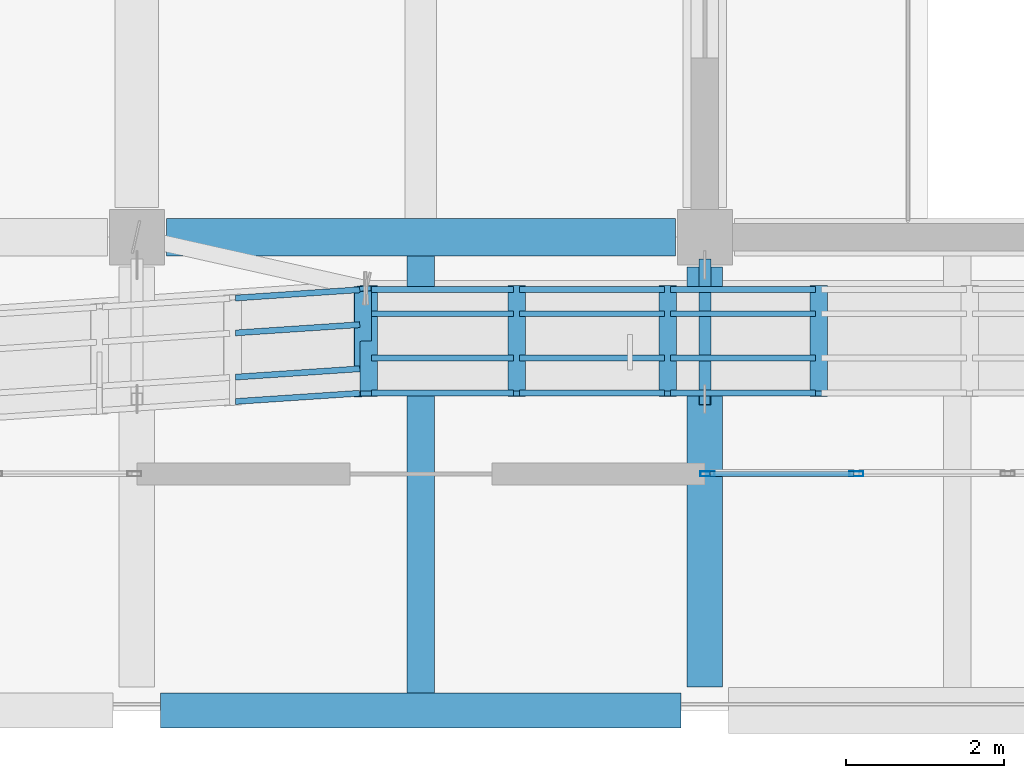
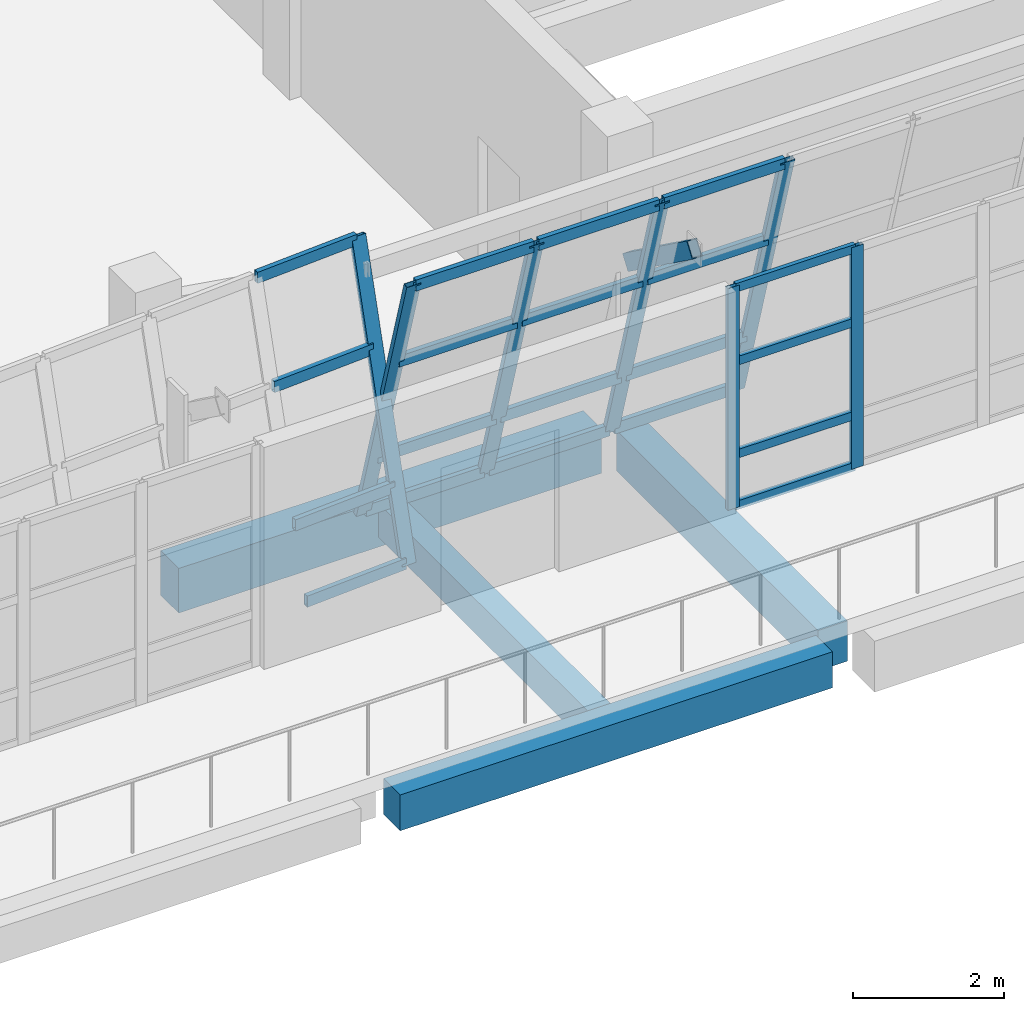
# One storey, part 13 of 67: 28 members, 4 beams, 3 elements without a shape of their own.
"""IFC4 building model written with IfcOpenShell, lengths in metres."""

from ifc_helpers import new_model, si_unit, direction, frame, origin, origin_2d, place, context, subcontext, project, spatial, rectangle, hollow_rectangle, extrude, material, material_profile, profile_set, type_object, element, aggregate, save


model = new_model("IFC4")

# Units and contexts
model_context = context("Model", 3, precision=1e-05, world=origin(), true_north=direction((0.0, 1.0)))
body_context = subcontext(model_context, "Body", "Model", "MODEL_VIEW")
ifc_project = project(units=[si_unit("LENGTHUNIT", "METRE"), si_unit("AREAUNIT", "SQUARE_METRE"), si_unit("VOLUMEUNIT", "CUBIC_METRE"), si_unit("PLANEANGLEUNIT", "RADIAN"), si_unit("MASSUNIT", "GRAM", prefix="KILO")], contexts=[model_context])

# Site, building, storey
site_placement = place(None, origin())
site = spatial("IfcSite", under=ifc_project, at=site_placement, CompositionType="ELEMENT")
building_placement = place(site_placement, origin())
building = spatial("IfcBuilding", under=site, at=building_placement, Name="Pellamere Symphony Hall", CompositionType="ELEMENT")
storey_placement = place(building_placement, frame((0.0, 0.0, 19.5)))
storey = spatial("IfcBuildingStorey", under=building, at=storey_placement, Name="L04", CompositionType="ELEMENT", Elevation=19.5)

# Curtain wall, member
ifc_material_1 = material(Name="Thermally Broken Anodised Aluminium 6063-T6 Curtain Wall", Category="aluminium")
curtain_wall_type_1 = type_object("IfcCurtainWallType", Name="Curtain Wall CW-01 (Tilted Faceted Crystal Low-Iron Curtain Wall)", PredefinedType="NOTDEFINED", material=ifc_material_1)
curtain_wall_1_placement = place(storey_placement, origin())
curtain_wall_1 = element("IfcCurtainWall", 1, at=curtain_wall_1_placement, inside=storey, type_object=curtain_wall_type_1, Name="Crystal Faceted Curtain Wall CW-CR04 (L04)", PredefinedType="NOTDEFINED")
ifc_material_2 = material(Name="Anodised Architectural Aluminium 6063-T6", Category="aluminium")
ifc_material_profile_1 = material_profile(ifc_material_2, hollow_rectangle(XDim=0.074951171875, YDim=0.219970703125, WallThickness=0.0048828125, at=origin_2d()), Name="ALU-M75X220X5")
ifc_profile_set_1 = profile_set([ifc_material_profile_1], Name="Anodised Architectural Aluminium 6063-T6")
member_type_1 = type_object("IfcMemberType", Name="Curtain Wall Mullion ML-01 ALU-M75X220X5", PredefinedType="MULLION", material=ifc_profile_set_1)
member_1_placement = place(storey_placement, frame((104.862548828125, 28.014404296875, 0.0), z_axis=(0.0, 0.284024567884, 0.95881700279), x_axis=(0.066519010519, -0.956693374484, 0.283395498301)))
member_1 = element("IfcMember", 2, at=member_1_placement, type_object=member_type_1, Name="CW1-004 crystal mullion 9", PredefinedType="MULLION", context=body_context, shape_type="SweptSolid", body=[
    extrude(hollow_rectangle(XDim=0.074951171875, YDim=0.219970703125, WallThickness=0.0048828125, at=origin_2d()), origin(), (0.0, 0.0, 1.0), 4.693359375),
])

# Curtain wall, members
curtain_wall_2_placement = place(storey_placement, origin())
curtain_wall_2 = element("IfcCurtainWall", 3, at=curtain_wall_2_placement, inside=storey, type_object=curtain_wall_type_1, Name="Crystal Faceted Curtain Wall CW-CR05 (L04)", PredefinedType="NOTDEFINED")
member_2_placement = place(storey_placement, frame((104.9375, 29.35009765625, 0.0), z_axis=(0.0, -0.284024567884, 0.95881700279), x_axis=(0.0, 0.95881700279, 0.284024567884)))
member_2 = element("IfcMember", 4, at=member_2_placement, type_object=member_type_1, Name="CW1-005 crystal mullion 1", PredefinedType="MULLION", context=body_context, shape_type="SweptSolid", body=[
    extrude(hollow_rectangle(XDim=0.074951171875, YDim=0.219970703125, WallThickness=0.0048828125, at=origin_2d()), origin(), (0.0, 0.0, 1.0), 4.693359375),
])
member_3_placement = place(storey_placement, frame((106.814208984375, 29.35009765625, 0.0), z_axis=(0.0, -0.284024567884, 0.95881700279), x_axis=(0.0, 0.95881700279, 0.284024567884)))
member_3 = element("IfcMember", 5, at=member_3_placement, type_object=member_type_1, Name="CW1-005 crystal mullion 2", PredefinedType="MULLION", context=body_context, shape_type="SweptSolid", body=[
    extrude(hollow_rectangle(XDim=0.074951171875, YDim=0.219970703125, WallThickness=0.0048828125, at=origin_2d()), origin(), (0.0, 0.0, 1.0), 4.693359375),
])
member_4_placement = place(storey_placement, frame((108.728515625, 29.35009765625, 0.0), z_axis=(0.0, -0.284024567884, 0.95881700279), x_axis=(0.0, 0.95881700279, 0.284024567884)))
member_4 = element("IfcMember", 6, at=member_4_placement, type_object=member_type_1, Name="CW1-005 crystal mullion 3", PredefinedType="MULLION", context=body_context, shape_type="SweptSolid", body=[
    extrude(hollow_rectangle(XDim=0.074951171875, YDim=0.219970703125, WallThickness=0.0048828125, at=origin_2d()), origin(), (0.0, 0.0, 1.0), 4.693359375),
])
member_5_placement = place(storey_placement, frame((110.642822265625, 29.35009765625, 0.0), z_axis=(0.0, -0.284024567884, 0.95881700279), x_axis=(0.0, 0.95881700279, 0.284024567884)))
member_5 = element("IfcMember", 7, at=member_5_placement, type_object=member_type_1, Name="CW1-005 crystal mullion 4", PredefinedType="MULLION", context=body_context, shape_type="SweptSolid", body=[
    extrude(hollow_rectangle(XDim=0.074951171875, YDim=0.219970703125, WallThickness=0.0048828125, at=origin_2d()), origin(), (0.0, 0.0, 1.0), 4.693359375),
])

curtain_wall_type_2 = type_object("IfcCurtainWallType", Name="Curtain Wall CW-06 (Belvedere Terrace Clerestory Curtain Wall)", PredefinedType="NOTDEFINED", material=ifc_material_1)
curtain_wall_3_placement = place(storey_placement, origin())
curtain_wall_3 = element("IfcCurtainWall", 8, at=curtain_wall_3_placement, inside=storey, type_object=curtain_wall_type_2, Name="Winter-Garden South Curtain Wall (L04 Bay 9)", PredefinedType="NOTDEFINED")
ifc_material_profile_2 = material_profile(ifc_material_2, hollow_rectangle(XDim=0.06494140625, YDim=0.179931640625, WallThickness=0.00390625, at=origin_2d()), Name="ALU-M65X180X4")
ifc_profile_set_2 = profile_set([ifc_material_profile_2], Name="Anodised Architectural Aluminium 6063-T6")
member_type_2 = type_object("IfcMemberType", Name="Curtain Wall Mullion ML-02 ALU-M65X180X4", PredefinedType="MULLION", material=ifc_profile_set_2)
member_6_placement = place(storey_placement, frame((109.232421875, 27.0, 0.0), z_axis=(0.0, 0.0, 1.0), x_axis=(0.0, 1.0, 0.0)))
member_6 = element("IfcMember", 9, at=member_6_placement, type_object=member_type_2, Name="CW2-101 crystal mullion 1", PredefinedType="MULLION", context=body_context, shape_type="SweptSolid", body=[
    extrude(hollow_rectangle(XDim=0.06494140625, YDim=0.179931640625, WallThickness=0.00390625, at=origin_2d()), origin(), (0.0, 0.0, 1.0), 3.577392578125),
])
member_7_placement = place(storey_placement, frame((111.1201171875, 27.0, 0.0), z_axis=(0.0, 0.0, 1.0), x_axis=(0.0, 1.0, 0.0)))
member_7 = element("IfcMember", 10, at=member_7_placement, type_object=member_type_2, Name="CW2-101 crystal mullion 2", PredefinedType="MULLION", context=body_context, shape_type="SweptSolid", body=[
    extrude(hollow_rectangle(XDim=0.06494140625, YDim=0.179931640625, WallThickness=0.00390625, at=origin_2d()), origin(), (0.0, 0.0, 1.0), 3.577392578125),
])

# Member
ifc_material_profile_3 = material_profile(ifc_material_2, hollow_rectangle(XDim=0.074951171875, YDim=0.179931640625, WallThickness=0.0048828125, at=origin_2d()), Name="ALU-T75X180X5")
ifc_profile_set_3 = profile_set([ifc_material_profile_3], Name="Anodised Architectural Aluminium 6063-T6")
member_type_3 = type_object("IfcMemberType", Name="Curtain Wall Transom TR-01 ALU-T75X180X5", PredefinedType="USERDEFINED", material=ifc_profile_set_3)
member_8_placement = place(storey_placement, frame((103.25, 27.917724609375, 0.035888671875), z_axis=(0.997786526209, 0.066498482063, 0.0), x_axis=(-0.066498482063, 0.997786526209, 0.0)))
member_8 = element("IfcMember", 11, at=member_8_placement, type_object=member_type_3, Name="CW1-004 crystal transom 8.1", ObjectType="TRANSOM", PredefinedType="USERDEFINED", context=body_context, shape_type="SweptSolid", body=[
    extrude(hollow_rectangle(XDim=0.074951171875, YDim=0.179931640625, WallThickness=0.0048828125, at=origin_2d()), origin(), (0.0, 0.0, 1.0), 1.57861328125),
])

member_9_placement = place(storey_placement, frame((103.25, 28.226806640625, 1.080078125), z_axis=(0.997776253366, 0.06665244346, 0.0), x_axis=(-0.06665244346, 0.997776253366, 0.0)))
member_9 = element("IfcMember", 12, at=member_9_placement, type_object=member_type_3, Name="CW1-004 crystal transom 8.2", ObjectType="TRANSOM", PredefinedType="USERDEFINED", context=body_context, shape_type="SweptSolid", body=[
    extrude(hollow_rectangle(XDim=0.074951171875, YDim=0.179931640625, WallThickness=0.0048828125, at=origin_2d()), origin(), (0.0, 0.0, 1.0), 1.57861328125),
])

member_10_placement = place(storey_placement, frame((103.25, 28.786865234375, 2.969970703125), z_axis=(0.997786526209, 0.066498482063, 0.0), x_axis=(-0.066498482063, 0.997786526209, 0.0)))
member_10 = element("IfcMember", 13, at=member_10_placement, type_object=member_type_3, Name="CW1-004 crystal transom 8.3", ObjectType="TRANSOM", PredefinedType="USERDEFINED", context=body_context, shape_type="SweptSolid", body=[
    extrude(hollow_rectangle(XDim=0.074951171875, YDim=0.179931640625, WallThickness=0.0048828125, at=origin_2d()), origin(), (0.0, 0.0, 1.0), 1.57861328125),
])

member_11_placement = place(storey_placement, frame((103.25, 29.229248046875, 4.464111328125), z_axis=(0.997776253366, 0.06665244346, 0.0), x_axis=(-0.06665244346, 0.997776253366, 0.0)))
member_11 = element("IfcMember", 14, at=member_11_placement, type_object=member_type_3, Name="CW1-004 crystal transom 8.4", ObjectType="TRANSOM", PredefinedType="USERDEFINED", context=body_context, shape_type="SweptSolid", body=[
    extrude(hollow_rectangle(XDim=0.074951171875, YDim=0.179931640625, WallThickness=0.0048828125, at=origin_2d()), origin(), (0.0, 0.0, 1.0), 1.57861328125),
])

aggregate(curtain_wall_1, [member_1, member_8, member_9, member_10, member_11])

member_12_placement = place(storey_placement, frame((104.97509765625, 29.33935546875, 0.035888671875), z_axis=(1.0, 0.0, 0.0), x_axis=(0.0, 1.0, 0.0)))
member_12 = element("IfcMember", 15, at=member_12_placement, type_object=member_type_3, Name="CW1-005 crystal transom 1.1", ObjectType="TRANSOM", PredefinedType="USERDEFINED", context=body_context, shape_type="SweptSolid", body=[
    extrude(hollow_rectangle(XDim=0.074951171875, YDim=0.179931640625, WallThickness=0.0048828125, at=origin_2d()), origin(), (0.0, 0.0, 1.0), 1.8017578125),
])

member_13_placement = place(storey_placement, frame((104.97509765625, 29.030029296875, 1.080078125), z_axis=(1.0, 0.0, 0.0), x_axis=(0.0, 1.0, 0.0)))
member_13 = element("IfcMember", 16, at=member_13_placement, type_object=member_type_3, Name="CW1-005 crystal transom 1.2", ObjectType="TRANSOM", PredefinedType="USERDEFINED", context=body_context, shape_type="SweptSolid", body=[
    extrude(hollow_rectangle(XDim=0.074951171875, YDim=0.179931640625, WallThickness=0.0048828125, at=origin_2d()), origin(), (0.0, 0.0, 1.0), 1.8017578125),
])

member_14_placement = place(storey_placement, frame((104.97509765625, 28.47021484375, 2.969970703125), z_axis=(1.0, 0.0, 0.0), x_axis=(0.0, 1.0, 0.0)))
member_14 = element("IfcMember", 17, at=member_14_placement, type_object=member_type_3, Name="CW1-005 crystal transom 1.3", ObjectType="TRANSOM", PredefinedType="USERDEFINED", context=body_context, shape_type="SweptSolid", body=[
    extrude(hollow_rectangle(XDim=0.074951171875, YDim=0.179931640625, WallThickness=0.0048828125, at=origin_2d()), origin(), (0.0, 0.0, 1.0), 1.8017578125),
])

member_15_placement = place(storey_placement, frame((104.97509765625, 28.027587890625, 4.464111328125), z_axis=(1.0, 0.0, 0.0), x_axis=(0.0, 1.0, 0.0)))
member_15 = element("IfcMember", 18, at=member_15_placement, type_object=member_type_3, Name="CW1-005 crystal transom 1.4", ObjectType="TRANSOM", PredefinedType="USERDEFINED", context=body_context, shape_type="SweptSolid", body=[
    extrude(hollow_rectangle(XDim=0.074951171875, YDim=0.179931640625, WallThickness=0.0048828125, at=origin_2d()), origin(), (0.0, 0.0, 1.0), 1.8017578125),
])

member_16_placement = place(storey_placement, frame((106.851806640625, 29.33935546875, 0.035888671875), z_axis=(1.0, 0.0, 0.0), x_axis=(0.0, 1.0, 0.0)))
member_16 = element("IfcMember", 19, at=member_16_placement, type_object=member_type_3, Name="CW1-005 crystal transom 2.1", ObjectType="TRANSOM", PredefinedType="USERDEFINED", context=body_context, shape_type="SweptSolid", body=[
    extrude(hollow_rectangle(XDim=0.074951171875, YDim=0.179931640625, WallThickness=0.0048828125, at=origin_2d()), origin(), (0.0, 0.0, 1.0), 1.83935546875),
])

member_17_placement = place(storey_placement, frame((106.851806640625, 29.030029296875, 1.080078125), z_axis=(1.0, 0.0, 0.0), x_axis=(0.0, 1.0, 0.0)))
member_17 = element("IfcMember", 20, at=member_17_placement, type_object=member_type_3, Name="CW1-005 crystal transom 2.2", ObjectType="TRANSOM", PredefinedType="USERDEFINED", context=body_context, shape_type="SweptSolid", body=[
    extrude(hollow_rectangle(XDim=0.074951171875, YDim=0.179931640625, WallThickness=0.0048828125, at=origin_2d()), origin(), (0.0, 0.0, 1.0), 1.83935546875),
])

member_18_placement = place(storey_placement, frame((106.851806640625, 28.47021484375, 2.969970703125), z_axis=(1.0, 0.0, 0.0), x_axis=(0.0, 1.0, 0.0)))
member_18 = element("IfcMember", 21, at=member_18_placement, type_object=member_type_3, Name="CW1-005 crystal transom 2.3", ObjectType="TRANSOM", PredefinedType="USERDEFINED", context=body_context, shape_type="SweptSolid", body=[
    extrude(hollow_rectangle(XDim=0.074951171875, YDim=0.179931640625, WallThickness=0.0048828125, at=origin_2d()), origin(), (0.0, 0.0, 1.0), 1.83935546875),
])

member_19_placement = place(storey_placement, frame((106.851806640625, 28.027587890625, 4.464111328125), z_axis=(1.0, 0.0, 0.0), x_axis=(0.0, 1.0, 0.0)))
member_19 = element("IfcMember", 22, at=member_19_placement, type_object=member_type_3, Name="CW1-005 crystal transom 2.4", ObjectType="TRANSOM", PredefinedType="USERDEFINED", context=body_context, shape_type="SweptSolid", body=[
    extrude(hollow_rectangle(XDim=0.074951171875, YDim=0.179931640625, WallThickness=0.0048828125, at=origin_2d()), origin(), (0.0, 0.0, 1.0), 1.83935546875),
])

member_20_placement = place(storey_placement, frame((108.76611328125, 29.33935546875, 0.035888671875), z_axis=(1.0, 0.0, 0.0), x_axis=(0.0, 1.0, 0.0)))
member_20 = element("IfcMember", 23, at=member_20_placement, type_object=member_type_3, Name="CW1-005 crystal transom 3.1", ObjectType="TRANSOM", PredefinedType="USERDEFINED", context=body_context, shape_type="SweptSolid", body=[
    extrude(hollow_rectangle(XDim=0.074951171875, YDim=0.179931640625, WallThickness=0.0048828125, at=origin_2d()), origin(), (0.0, 0.0, 1.0), 1.83935546875),
])

member_21_placement = place(storey_placement, frame((108.76611328125, 29.030029296875, 1.080078125), z_axis=(1.0, 0.0, 0.0), x_axis=(0.0, 1.0, 0.0)))
member_21 = element("IfcMember", 24, at=member_21_placement, type_object=member_type_3, Name="CW1-005 crystal transom 3.2", ObjectType="TRANSOM", PredefinedType="USERDEFINED", context=body_context, shape_type="SweptSolid", body=[
    extrude(hollow_rectangle(XDim=0.074951171875, YDim=0.179931640625, WallThickness=0.0048828125, at=origin_2d()), origin(), (0.0, 0.0, 1.0), 1.83935546875),
])

member_22_placement = place(storey_placement, frame((108.76611328125, 28.47021484375, 2.969970703125), z_axis=(1.0, 0.0, 0.0), x_axis=(0.0, 1.0, 0.0)))
member_22 = element("IfcMember", 25, at=member_22_placement, type_object=member_type_3, Name="CW1-005 crystal transom 3.3", ObjectType="TRANSOM", PredefinedType="USERDEFINED", context=body_context, shape_type="SweptSolid", body=[
    extrude(hollow_rectangle(XDim=0.074951171875, YDim=0.179931640625, WallThickness=0.0048828125, at=origin_2d()), origin(), (0.0, 0.0, 1.0), 1.83935546875),
])

member_23_placement = place(storey_placement, frame((108.76611328125, 28.027587890625, 4.464111328125), z_axis=(1.0, 0.0, 0.0), x_axis=(0.0, 1.0, 0.0)))
member_23 = element("IfcMember", 26, at=member_23_placement, type_object=member_type_3, Name="CW1-005 crystal transom 3.4", ObjectType="TRANSOM", PredefinedType="USERDEFINED", context=body_context, shape_type="SweptSolid", body=[
    extrude(hollow_rectangle(XDim=0.074951171875, YDim=0.179931640625, WallThickness=0.0048828125, at=origin_2d()), origin(), (0.0, 0.0, 1.0), 1.83935546875),
])

aggregate(curtain_wall_2, [member_2, member_3, member_4, member_5, member_12, member_13, member_14, member_15, member_16, member_17, member_18, member_19, member_20, member_21, member_22, member_23])

ifc_material_profile_4 = material_profile(ifc_material_2, hollow_rectangle(XDim=0.06494140625, YDim=0.139892578125, WallThickness=0.00390625, at=origin_2d()), Name="ALU-T65X140X4")
ifc_profile_set_4 = profile_set([ifc_material_profile_4], Name="Anodised Architectural Aluminium 6063-T6")
member_type_4 = type_object("IfcMemberType", Name="Curtain Wall Transom TR-02 ALU-T65X140X4", PredefinedType="USERDEFINED", material=ifc_profile_set_4)
member_24_placement = place(storey_placement, frame((109.264892578125, 27.0, 0.032470703125), z_axis=(1.0, 0.0, 0.0), x_axis=(0.0, 1.0, 0.0)))
member_24 = element("IfcMember", 27, at=member_24_placement, type_object=member_type_4, Name="CW2-101 crystal transom 1.1", ObjectType="TRANSOM", PredefinedType="USERDEFINED", context=body_context, shape_type="SweptSolid", body=[
    extrude(hollow_rectangle(XDim=0.06494140625, YDim=0.139892578125, WallThickness=0.00390625, at=origin_2d()), origin(), (0.0, 0.0, 1.0), 1.822509765625),
])

member_25_placement = place(storey_placement, frame((109.264892578125, 27.0, 0.858642578125), z_axis=(1.0, 0.0, 0.0), x_axis=(0.0, 1.0, 0.0)))
member_25 = element("IfcMember", 28, at=member_25_placement, type_object=member_type_4, Name="CW2-101 crystal transom 1.2", ObjectType="TRANSOM", PredefinedType="USERDEFINED", context=body_context, shape_type="SweptSolid", body=[
    extrude(hollow_rectangle(XDim=0.06494140625, YDim=0.139892578125, WallThickness=0.00390625, at=origin_2d()), origin(), (0.0, 0.0, 1.0), 1.822509765625),
])

member_26_placement = place(storey_placement, frame((109.264892578125, 27.0, 2.361083984375), z_axis=(1.0, 0.0, 0.0), x_axis=(0.0, 1.0, 0.0)))
member_26 = element("IfcMember", 29, at=member_26_placement, type_object=member_type_4, Name="CW2-101 crystal transom 1.3", ObjectType="TRANSOM", PredefinedType="USERDEFINED", context=body_context, shape_type="SweptSolid", body=[
    extrude(hollow_rectangle(XDim=0.06494140625, YDim=0.139892578125, WallThickness=0.00390625, at=origin_2d()), origin(), (0.0, 0.0, 1.0), 1.822509765625),
])

member_27_placement = place(storey_placement, frame((109.264892578125, 27.0, 3.544921875), z_axis=(1.0, 0.0, 0.0), x_axis=(0.0, 1.0, 0.0)))
member_27 = element("IfcMember", 30, at=member_27_placement, type_object=member_type_4, Name="CW2-101 crystal transom 1.4", ObjectType="TRANSOM", PredefinedType="USERDEFINED", context=body_context, shape_type="SweptSolid", body=[
    extrude(hollow_rectangle(XDim=0.06494140625, YDim=0.139892578125, WallThickness=0.00390625, at=origin_2d()), origin(), (0.0, 0.0, 1.0), 1.822509765625),
])

aggregate(curtain_wall_3, [member_6, member_7, member_24, member_25, member_26, member_27])

# Beams
ifc_material_3 = material(Name="Concrete 40 MPa", Category="concrete")
ifc_material_profile_5 = material_profile(ifc_material_3, rectangle(XDim=0.449951171875, YDim=0.64990234375, at=origin_2d()), Name="RC 450x650")
ifc_profile_set_5 = profile_set([ifc_material_profile_5], Name="Concrete 40 MPa")
beam_type_1 = type_object("IfcBeamType", Name="RC CB-08 450x650", PredefinedType="BEAM", material=ifc_profile_set_5)
beam_1_placement = place(storey_placement, frame((109.199951171875, 24.300048828125, -0.5849609375), z_axis=(0.0, 1.0, 0.0), x_axis=(-1.0, 0.0, 0.0)))
element("IfcBeam", 31, at=beam_1_placement, inside=storey, type_object=beam_type_1, Name="Girder CB-08-Y1904 (L04)", PredefinedType="BEAM", context=body_context, shape_type="SweptSolid", body=[
    extrude(rectangle(XDim=0.449951171875, YDim=0.64990234375, at=origin_2d()), origin(), (0.0, 0.0, 1.0), 5.324951171875),
])
ifc_material_4 = material(Name="Concrete 35 MPa", Category="concrete")
ifc_material_profile_6 = material_profile(ifc_material_4, rectangle(XDim=0.35009765625, YDim=0.550048828125, at=origin_2d()), Name="RC 350x550")
ifc_profile_set_6 = profile_set([ifc_material_profile_6], Name="Concrete 35 MPa")
beam_type_2 = type_object("IfcBeamType", Name="RC CB-10 350x550", PredefinedType="BEAM", material=ifc_profile_set_6)
beam_2_placement = place(storey_placement, frame((105.60009765625, 24.219970703125, -0.550048828125), z_axis=(0.0, 1.0, 0.0), x_axis=(-1.0, 0.0, 0.0)))
element("IfcBeam", 32, at=beam_2_placement, inside=storey, type_object=beam_type_2, Name="Secondary Floor Beam CB-10-M1303 (L04)", PredefinedType="BEAM", context=body_context, shape_type="SweptSolid", body=[
    extrude(rectangle(XDim=0.35009765625, YDim=0.550048828125, at=origin_2d()), origin(), (0.0, 0.0, 1.0), 5.5400390625),
])
ifc_material_profile_7 = material_profile(ifc_material_3, rectangle(XDim=0.47998046875, YDim=0.719970703125, at=origin_2d()), Name="RC 480x720")
ifc_profile_set_7 = profile_set([ifc_material_profile_7], Name="Concrete 40 MPa")
beam_type_3 = type_object("IfcBeamType", Name="RC CB-14 480x720", PredefinedType="SPANDREL", material=ifc_profile_set_7)
beam_3_placement = place(storey_placement, frame((102.375, 30.0, -0.6201171875), z_axis=(1.0, 0.0, 0.0), x_axis=(0.0, 1.0, 0.0)))
element("IfcBeam", 33, at=beam_3_placement, inside=storey, type_object=beam_type_3, Name="Girder CB-14-X1810 (L04)", PredefinedType="SPANDREL", context=body_context, shape_type="SweptSolid", body=[
    extrude(rectangle(XDim=0.47998046875, YDim=0.719970703125, at=origin_2d()), origin(), (0.0, 0.0, 1.0), 6.449951171875),
])
ifc_material_profile_8 = material_profile(ifc_material_3, rectangle(XDim=0.43994140625, YDim=0.580078125, at=origin_2d()), Name="RC 440x580")
ifc_profile_set_8 = profile_set([ifc_material_profile_8], Name="Concrete 40 MPa")
beam_type_4 = type_object("IfcBeamType", Name="RC CB-20 440x580", PredefinedType="BEAM", material=ifc_profile_set_8)
beam_4_placement = place(storey_placement, frame((102.300048828125, 24.0, -0.550048828125), z_axis=(1.0, 0.0, 0.0), x_axis=(0.0, 1.0, 0.0)))
element("IfcBeam", 34, at=beam_4_placement, inside=storey, type_object=beam_type_4, Name="Girder CB-20-X1800 (L04)", PredefinedType="BEAM", context=body_context, shape_type="SweptSolid", body=[
    extrude(rectangle(XDim=0.43994140625, YDim=0.580078125, at=origin_2d()), origin(), (0.0, 0.0, 1.0), 6.599853515625),
])

# Member
ifc_material_5 = material(Name="Steel CSA G40.21 350W", Category="steel")
ifc_material_profile_9 = material_profile(ifc_material_5, hollow_rectangle(XDim=0.15234375, YDim=0.25390625, WallThickness=0.010986328125, at=origin_2d()), Name="HSS254X152X11")
ifc_profile_set_9 = profile_set([ifc_material_profile_9], Name="Steel CSA G40.21 350W")
member_type_5 = type_object("IfcMemberType", Name="Steel Member SM-07 HSS254X152X11", PredefinedType="STRUT", material=ifc_profile_set_9)
member_28_placement = place(storey_placement, frame((109.199951171875, 29.64990234375, 2.3798828125), z_axis=(0.0, -0.810117421181, 0.586267655512), x_axis=(1.0, 0.0, 0.0)))
element("IfcMember", 35, at=member_28_placement, inside=storey, type_object=member_type_5, Name="Winter-Garden Canopy Knee Strut 08", PredefinedType="STRUT", context=body_context, shape_type="SweptSolid", body=[
    extrude(hollow_rectangle(XDim=0.15234375, YDim=0.25390625, WallThickness=0.010986328125, at=origin_2d()), origin(), (0.0, 0.0, 1.0), 2.098388671875),
])

save(model, "model.ifc")
